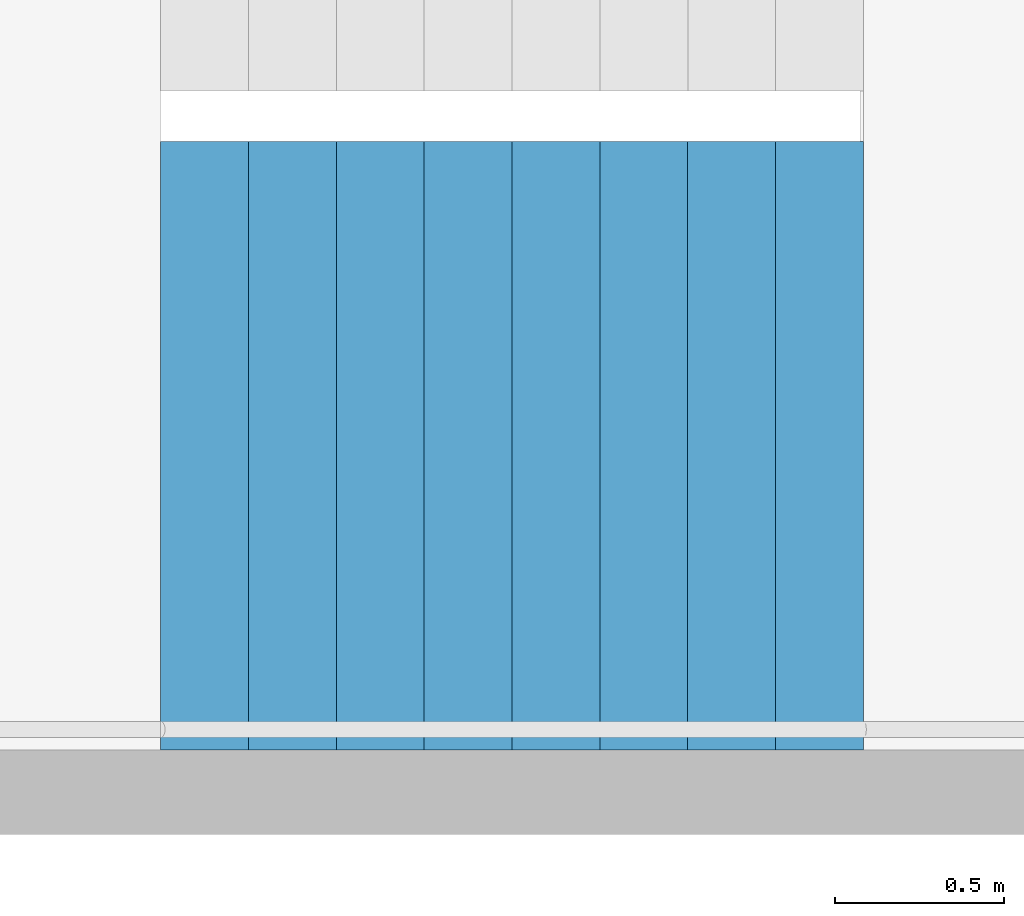
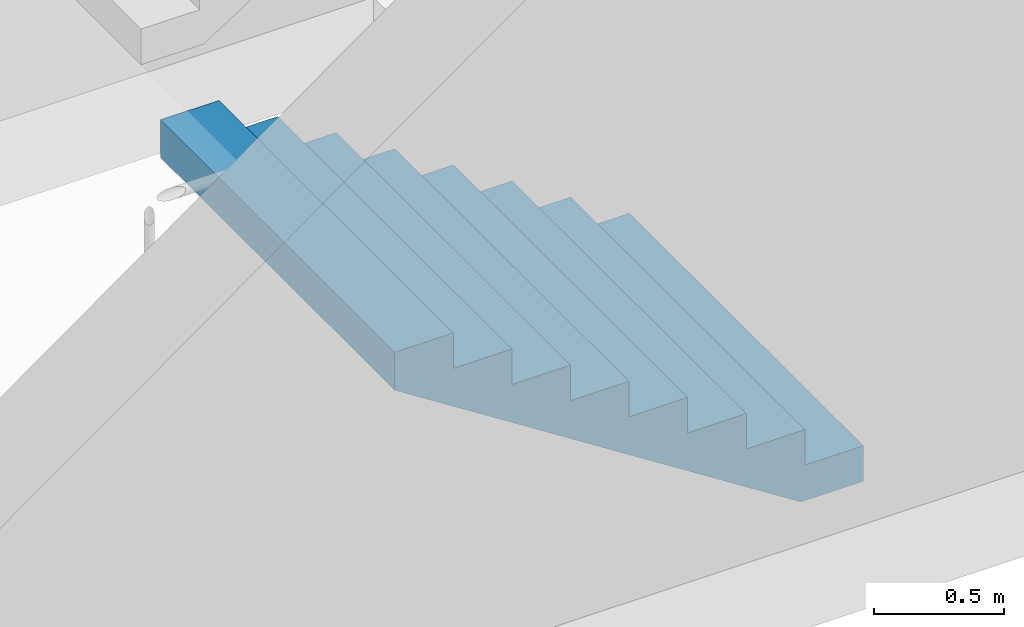
# One storey, part 66 of 100: 1 stair flight, 1 element without a shape of its own.
"""IFC4 building model written with IfcOpenShell, lengths in metres."""

import ifcopenshell
import ifcopenshell.guid

model = None  # the IFC model being written
_history = None  # IfcOwnerHistory: only IFC2X3 demands one
_inside = {}  # id of a spatial element -> (the spatial element, [elements in it])
_under = {}  # id of a project, library or spatial element -> (it, [spatial elements below it])
_declared = {}  # id of a project -> (the project, [libraries it declares])
_typed = {}  # id of a type object -> (the type object, [elements of that type])
_made_of = {}  # id of a material, layer set ... -> (it, [elements and type objects made of it])


def new_model(schema):
    """Start an empty IFC model of exactly this schema.

    Asked for "IFC4X3", IfcOpenShell would pick the latest addendum, in which some entities
    have other attributes; the version numbers below select the first issue.
    IFC2X3 requires an IfcOwnerHistory on every rooted entity: one is made here for all.
    """
    global model, _history
    if schema == "IFC4X3":
        model = ifcopenshell.file(schema_version=(4, 3, 0, 0))
    else:
        model = ifcopenshell.file(schema=schema)
    _inside.clear()
    _under.clear()
    _declared.clear()
    _typed.clear()
    _made_of.clear()
    _history = None
    if model.schema == "IFC2X3":
        org = make("IfcOrganization", Name="unknown")
        user = make(
            "IfcPersonAndOrganization",
            ThePerson=make("IfcPerson", FamilyName="unknown"),
            TheOrganization=org,
        )
        app = make(
            "IfcApplication",
            ApplicationDeveloper=org,
            Version="unknown",
            ApplicationFullName="unknown",
            ApplicationIdentifier="unknown",
        )
        _history = make(
            "IfcOwnerHistory",
            OwningUser=user,
            OwningApplication=app,
            ChangeAction="ADDED",
            CreationDate=0,
        )
    return model


def make(cls, **values):
    """One entity of the class cls with the attributes given. An attribute that is None is left unset."""
    return model.create_entity(
        cls, **{name: value for name, value in values.items() if value is not None}
    )


def rooted(cls, **values):
    """An entity with a GlobalId (a new one), such as an element, a storey or a relation."""
    return make(cls, GlobalId=ifcopenshell.guid.new(), OwnerHistory=_history, **values)


def si_unit(unit_type, name, prefix=None):
    """IfcSIUnit, for example si_unit("LENGTHUNIT", "METRE", prefix="MILLI")."""
    return make("IfcSIUnit", UnitType=unit_type, Prefix=prefix, Name=name)


def assignment(units):
    """IfcUnitAssignment: the units of a project."""
    return None if units is None else make("IfcUnitAssignment", Units=units)


def point(xyz):
    """IfcCartesianPoint."""
    return None if xyz is None else make("IfcCartesianPoint", Coordinates=xyz)


def direction(xyz):
    """IfcDirection."""
    return None if xyz is None else make("IfcDirection", DirectionRatios=xyz)


def frame(location, z_axis=None, x_axis=None):
    """IfcAxis2Placement3D, a coordinate frame: its origin and axes. An axis left out is left unset."""
    return make(
        "IfcAxis2Placement3D",
        Location=point(location),
        Axis=direction(z_axis),
        RefDirection=direction(x_axis),
    )


def origin():
    """The frame at (0, 0, 0) with its axes left unset."""
    return frame((0.0, 0.0, 0.0))


def place(relative_to, where):
    """IfcLocalPlacement: puts the frame where relative to a parent placement (None: the world)."""
    return make(
        "IfcLocalPlacement", PlacementRelTo=relative_to, RelativePlacement=where
    )


def context(
    kind, dimensions, precision=None, world=None, true_north=None, identifier=None
):
    """IfcGeometricRepresentationContext, for example the 3D "Model" context."""
    return make(
        "IfcGeometricRepresentationContext",
        ContextIdentifier=identifier,
        ContextType=kind,
        CoordinateSpaceDimension=dimensions,
        Precision=precision,
        WorldCoordinateSystem=world,
        TrueNorth=true_north,
    )


def subcontext(parent, identifier, kind, view, scale=None):
    """IfcGeometricRepresentationSubContext, for example "Body" below "Model"."""
    return make(
        "IfcGeometricRepresentationSubContext",
        ContextIdentifier=identifier,
        ContextType=kind,
        ParentContext=parent,
        TargetScale=scale,
        TargetView=view,
    )


def project(units=None, contexts=None):
    """IfcProject with its units and contexts."""
    return rooted(
        "IfcProject",
        Name="project",
        RepresentationContexts=contexts,
        UnitsInContext=assignment(units),
    )


def spatial(cls, under=None, at=None, **own):
    """A site, building, storey or space (cls), placed at a placement, below another one or the project."""
    s = rooted(cls, ObjectPlacement=at, **own)
    if under is not None:
        _under.setdefault(under.id(), (under, []))[1].append(s)
    return s


def point_list(points):
    """IfcCartesianPointList2D or 3D."""
    cls = (
        "IfcCartesianPointList2D" if len(points[0]) == 2 else "IfcCartesianPointList3D"
    )
    return make(cls, CoordList=points)


def triangles(points, corners, closed=None, point_numbers=None):
    """IfcTriangulatedFaceSet: each triangle names its three corners, points numbered from 1."""
    return make(
        "IfcTriangulatedFaceSet",
        Coordinates=point_list(points),
        Closed=closed,
        CoordIndex=corners,
        PnIndex=point_numbers,
    )


def shape(context_of_items, identifier, shape_type, items):
    """IfcShapeRepresentation: the items that make up one representation, for example the "Body"."""
    return make(
        "IfcShapeRepresentation",
        ContextOfItems=context_of_items,
        RepresentationIdentifier=identifier,
        RepresentationType=shape_type,
        Items=items,
    )


def material(Name=None, Category=None):
    """IfcMaterial."""
    return make("IfcMaterial", Name=Name, Category=Category)


def made_of(thing, what):
    """Note that an element or type object is made of a material, layer set ...; save() writes the relation."""
    if what is not None:
        _made_of.setdefault(what.id(), (what, []))[1].append(thing)
    return thing


def type_object(cls, material=None, **own):
    """A type object (cls), such as IfcWallType, which elements share."""
    return made_of(rooted(cls, **own), material)


def element(
    cls,
    number,
    at=None,
    inside=None,
    cuts=None,
    type_object=None,
    material=None,
    context=None,
    identifier="Body",
    shape_type=None,
    held_by="IfcProductDefinitionShape",
    body=None,
    shapes=None,
    **own,
):
    """One element of the class cls, such as IfcWall. Its Tag is "e" and its number.

    at: its placement. inside: the storey or other place that contains it. cuts: it is an
    opening in that element (IfcRelVoidsElement). A single representation is given by context,
    identifier, shape_type and body (its items); several are given by shapes. held_by: the class
    of the entity that holds the representations. save() writes the other relations.
    """
    e = rooted(cls, Tag="e%d" % number, ObjectPlacement=at, **own)
    if body is not None:
        shapes = [shape(context, identifier, shape_type, body)]
    if shapes is not None:
        e.Representation = make(held_by, Representations=shapes)
    if inside is not None:
        _inside.setdefault(inside.id(), (inside, []))[1].append(e)
    if cuts is not None:
        rooted(
            "IfcRelVoidsElement", RelatingBuildingElement=cuts, RelatedOpeningElement=e
        )
    if type_object is not None:
        _typed.setdefault(type_object.id(), (type_object, []))[1].append(e)
    return made_of(e, material)


def aggregate(whole, parts):
    """IfcRelAggregates: a whole, such as a stair, and the parts it consists of."""
    return rooted("IfcRelAggregates", RelatingObject=whole, RelatedObjects=parts)


def save(model, path):
    """Write the relations noted so far, then the file.

    IfcRelAggregates (storeys below a building ...), IfcRelContainedInSpatialStructure (elements
    in a storey), IfcRelDefinesByType, IfcRelAssociatesMaterial and IfcRelDeclares: one each for
    every whole, place, type object, material and project.
    """
    for whole, parts in _under.values():
        aggregate(whole, parts)
    for where, things in _inside.values():
        rooted(
            "IfcRelContainedInSpatialStructure",
            RelatedElements=things,
            RelatingStructure=where,
        )
    for kind, things in _typed.values():
        rooted("IfcRelDefinesByType", RelatedObjects=things, RelatingType=kind)
    for what, things in _made_of.values():
        rooted("IfcRelAssociatesMaterial", RelatedObjects=things, RelatingMaterial=what)
    for by, libraries in _declared.values():
        rooted("IfcRelDeclares", RelatingContext=by, RelatedDefinitions=libraries)
    model.write(path)


model = new_model("IFC4")

# Units and contexts
model_context = context("Model", 3, precision=1e-05, world=origin(), true_north=direction((0.0, 1.0)))
body_context = subcontext(model_context, "Body", "Model", "MODEL_VIEW")
ifc_project = project(units=[si_unit("LENGTHUNIT", "METRE"), si_unit("AREAUNIT", "SQUARE_METRE"), si_unit("VOLUMEUNIT", "CUBIC_METRE"), si_unit("PLANEANGLEUNIT", "RADIAN"), si_unit("MASSUNIT", "GRAM", prefix="KILO")], contexts=[model_context])

# Site, building, storey
site_placement = place(None, origin())
site = spatial("IfcSite", under=ifc_project, at=site_placement, CompositionType="ELEMENT")
building_placement = place(site_placement, origin())
building = spatial("IfcBuilding", under=site, at=building_placement, Name="Hakoniwa Tower and Hamabe Station Hall", CompositionType="ELEMENT")
storey_placement = place(building_placement, frame((0.0, 0.0, 9.0)))
storey = spatial("IfcBuildingStorey", under=building, at=storey_placement, Name="L02", CompositionType="ELEMENT", Elevation=9.0)

# Stair, stair flight
ifc_material_1 = material(Name="Concrete C40", Category="concrete")
stair_type = type_object("IfcStairType", Name="ESCAPE STAIR 1800", PredefinedType="HALF_TURN_STAIR", material=ifc_material_1)
stair_placement = place(storey_placement, origin())
stair = element("IfcStair", 1, at=stair_placement, inside=storey, type_object=stair_type, Name="Escape stair ST-3 L02", PredefinedType="HALF_TURN_STAIR")
ifc_material_2 = material(Name="Concrete C40", Category="concrete")
stair_flight_type = type_object("IfcStairFlightType", Name="STAIR FLIGHT 1800", PredefinedType="STRAIGHT", material=ifc_material_2)
stair_flight_placement = place(storey_placement, frame((24.39990234375, 4.64990234375, 0.0), z_axis=(0.0, 0.0, 1.0), x_axis=(-1.0, 0.0, 0.0)))
stair_flight = element("IfcStairFlight", 2, at=stair_flight_placement, type_object=stair_flight_type, Name="ST-3 flight 1", NumberOfRisers=9, NumberOfTreads=8, PredefinedType="STRAIGHT", RiserHeight=0.166666667, TreadLength=0.26, context=body_context, shape_type="Tessellation", body=[
    triangles([(0.0, 0.89990234375, 0.0), (0.260009765625, 0.89990234375, 0.0), (0.27783203125, 0.89990234375, 0.0), (0.52001953125, 0.89990234375, 0.1552734375), (0.780029296875, 0.89990234375, 0.322021484375), (1.0400390625, 0.89990234375, 0.488525390625), (1.300048828125, 0.89990234375, 0.6552734375), (1.56005859375, 0.89990234375, 0.822021484375), (1.820068359375, 0.89990234375, 0.988525390625), (2.080078125, 0.89990234375, 1.1552734375), (2.080078125, 0.89990234375, 1.333251953125), (1.820068359375, 0.89990234375, 1.333251953125), (1.820068359375, 0.89990234375, 1.166748046875), (1.56005859375, 0.89990234375, 1.166748046875), (1.56005859375, 0.89990234375, 1.0), (1.300048828125, 0.89990234375, 1.0), (1.300048828125, 0.89990234375, 0.833251953125), (1.0400390625, 0.89990234375, 0.833251953125), (1.0400390625, 0.89990234375, 0.666748046875), (0.780029296875, 0.89990234375, 0.666748046875), (0.780029296875, 0.89990234375, 0.5), (0.52001953125, 0.89990234375, 0.5), (0.52001953125, 0.89990234375, 0.333251953125), (0.27783203125, 0.89990234375, 0.333251953125), (0.260009765625, 0.89990234375, 0.333251953125), (0.260009765625, 0.89990234375, 0.166748046875), (0.0, 0.89990234375, 0.166748046875), (0.0, 0.06005859375, 0.0), (0.260009765625, 0.06005859375, 0.0), (0.27783203125, 0.06005859375, 0.0), (0.52001953125, 0.06005859375, 0.1552734375), (0.780029296875, 0.06005859375, 0.322021484375), (1.0400390625, 0.06005859375, 0.488525390625), (1.300048828125, 0.06005859375, 0.6552734375), (1.56005859375, 0.06005859375, 0.822021484375), (1.820068359375, 0.06005859375, 0.988525390625), (2.080078125, 0.06005859375, 1.1552734375), (2.080078125, 0.06005859375, 1.333251953125), (1.820068359375, 0.06005859375, 1.333251953125), (1.820068359375, 0.06005859375, 1.166748046875), (1.56005859375, 0.06005859375, 1.166748046875), (1.56005859375, 0.06005859375, 1.0), (1.300048828125, 0.06005859375, 1.0), (1.300048828125, 0.06005859375, 0.833251953125), (1.0400390625, 0.06005859375, 0.833251953125), (1.0400390625, 0.06005859375, 0.666748046875), (0.780029296875, 0.06005859375, 0.666748046875), (0.780029296875, 0.06005859375, 0.5), (0.52001953125, 0.06005859375, 0.5), (0.52001953125, 0.06005859375, 0.333251953125), (0.27783203125, 0.06005859375, 0.333251953125), (0.260009765625, 0.06005859375, 0.333251953125), (0.260009765625, 0.06005859375, 0.166748046875), (0.0, 0.06005859375, 0.166748046875), (0.0, 0.04296875, 0.0), (0.260009765625, 0.04296875, 0.0), (0.27783203125, 0.04296875, 0.0), (0.52001953125, 0.04296875, 0.1552734375), (0.780029296875, 0.04296875, 0.322021484375), (1.0400390625, 0.04296875, 0.488525390625), (1.300048828125, 0.04296875, 0.6552734375), (1.56005859375, 0.04296875, 0.822021484375), (1.820068359375, 0.04296875, 0.988525390625), (2.080078125, 0.04296875, 1.1552734375), (2.080078125, 0.04296875, 1.333251953125), (1.820068359375, 0.04296875, 1.333251953125), (1.820068359375, 0.04296875, 1.166748046875), (1.56005859375, 0.04296875, 1.166748046875), (1.56005859375, 0.04296875, 1.0), (1.300048828125, 0.04296875, 1.0), (1.300048828125, 0.04296875, 0.833251953125), (1.0400390625, 0.04296875, 0.833251953125), (1.0400390625, 0.04296875, 0.666748046875), (0.780029296875, 0.04296875, 0.666748046875), (0.780029296875, 0.04296875, 0.5), (0.52001953125, 0.04296875, 0.5), (0.52001953125, 0.04296875, 0.333251953125), (0.27783203125, 0.04296875, 0.333251953125), (0.260009765625, 0.04296875, 0.333251953125), (0.260009765625, 0.04296875, 0.166748046875), (0.0, 0.04296875, 0.166748046875), (0.0, 0.025634765625, 0.0), (0.260009765625, 0.025634765625, 0.0), (0.27783203125, 0.025634765625, 0.0), (0.52001953125, 0.025634765625, 0.1552734375), (0.780029296875, 0.025634765625, 0.322021484375), (1.0400390625, 0.025634765625, 0.488525390625), (1.300048828125, 0.025634765625, 0.6552734375), (1.56005859375, 0.025634765625, 0.822021484375), (1.820068359375, 0.025634765625, 0.988525390625), (2.080078125, 0.025634765625, 1.1552734375), (2.080078125, 0.025634765625, 1.333251953125), (1.820068359375, 0.025634765625, 1.333251953125), (1.820068359375, 0.025634765625, 1.166748046875), (1.56005859375, 0.025634765625, 1.166748046875), (1.56005859375, 0.025634765625, 1.0), (1.300048828125, 0.025634765625, 1.0), (1.300048828125, 0.025634765625, 0.833251953125), (1.0400390625, 0.025634765625, 0.833251953125), (1.0400390625, 0.025634765625, 0.666748046875), (0.780029296875, 0.025634765625, 0.666748046875), (0.780029296875, 0.025634765625, 0.5), (0.52001953125, 0.025634765625, 0.5), (0.52001953125, 0.025634765625, 0.333251953125), (0.27783203125, 0.025634765625, 0.333251953125), (0.260009765625, 0.025634765625, 0.333251953125), (0.260009765625, 0.025634765625, 0.166748046875), (0.0, 0.025634765625, 0.166748046875), (0.0, 0.008544921875, 0.0), (0.260009765625, 0.008544921875, 0.0), (0.27783203125, 0.008544921875, 0.0), (0.52001953125, 0.008544921875, 0.1552734375), (0.780029296875, 0.008544921875, 0.322021484375), (1.0400390625, 0.008544921875, 0.488525390625), (1.300048828125, 0.008544921875, 0.6552734375), (1.56005859375, 0.008544921875, 0.822021484375), (1.820068359375, 0.008544921875, 0.988525390625), (2.080078125, 0.008544921875, 1.1552734375), (2.080078125, 0.008544921875, 1.333251953125), (1.820068359375, 0.008544921875, 1.333251953125), (1.820068359375, 0.008544921875, 1.166748046875), (1.56005859375, 0.008544921875, 1.166748046875), (1.56005859375, 0.008544921875, 1.0), (1.300048828125, 0.008544921875, 1.0), (1.300048828125, 0.008544921875, 0.833251953125), (1.0400390625, 0.008544921875, 0.833251953125), (1.0400390625, 0.008544921875, 0.666748046875), (0.780029296875, 0.008544921875, 0.666748046875), (0.780029296875, 0.008544921875, 0.5), (0.52001953125, 0.008544921875, 0.5), (0.52001953125, 0.008544921875, 0.333251953125), (0.27783203125, 0.008544921875, 0.333251953125), (0.260009765625, 0.008544921875, 0.333251953125), (0.260009765625, 0.008544921875, 0.166748046875), (0.0, 0.008544921875, 0.166748046875), (0.0, -0.008544921875, 0.0), (0.260009765625, -0.008544921875, 0.0), (0.27783203125, -0.008544921875, 0.0), (0.52001953125, -0.008544921875, 0.1552734375), (0.780029296875, -0.008544921875, 0.322021484375), (1.0400390625, -0.008544921875, 0.488525390625), (1.300048828125, -0.008544921875, 0.6552734375), (1.56005859375, -0.008544921875, 0.822021484375), (1.820068359375, -0.008544921875, 0.988525390625), (2.080078125, -0.008544921875, 1.1552734375), (2.080078125, -0.008544921875, 1.333251953125), (1.820068359375, -0.008544921875, 1.333251953125), (1.820068359375, -0.008544921875, 1.166748046875), (1.56005859375, -0.008544921875, 1.166748046875), (1.56005859375, -0.008544921875, 1.0), (1.300048828125, -0.008544921875, 1.0), (1.300048828125, -0.008544921875, 0.833251953125), (1.0400390625, -0.008544921875, 0.833251953125), (1.0400390625, -0.008544921875, 0.666748046875), (0.780029296875, -0.008544921875, 0.666748046875), (0.780029296875, -0.008544921875, 0.5), (0.52001953125, -0.008544921875, 0.5), (0.52001953125, -0.008544921875, 0.333251953125), (0.27783203125, -0.008544921875, 0.333251953125), (0.260009765625, -0.008544921875, 0.333251953125), (0.260009765625, -0.008544921875, 0.166748046875), (0.0, -0.008544921875, 0.166748046875), (0.0, -0.025634765625, 0.0), (0.260009765625, -0.025634765625, 0.0), (0.27783203125, -0.025634765625, 0.0), (0.52001953125, -0.025634765625, 0.1552734375), (0.780029296875, -0.025634765625, 0.322021484375), (1.0400390625, -0.025634765625, 0.488525390625), (1.300048828125, -0.025634765625, 0.6552734375), (1.56005859375, -0.025634765625, 0.822021484375), (1.820068359375, -0.025634765625, 0.988525390625), (2.080078125, -0.025634765625, 1.1552734375), (2.080078125, -0.025634765625, 1.333251953125), (1.820068359375, -0.025634765625, 1.333251953125), (1.820068359375, -0.025634765625, 1.166748046875), (1.56005859375, -0.025634765625, 1.166748046875), (1.56005859375, -0.025634765625, 1.0), (1.300048828125, -0.025634765625, 1.0), (1.300048828125, -0.025634765625, 0.833251953125), (1.0400390625, -0.025634765625, 0.833251953125), (1.0400390625, -0.025634765625, 0.666748046875), (0.780029296875, -0.025634765625, 0.666748046875), (0.780029296875, -0.025634765625, 0.5), (0.52001953125, -0.025634765625, 0.5), (0.52001953125, -0.025634765625, 0.333251953125), (0.27783203125, -0.025634765625, 0.333251953125), (0.260009765625, -0.025634765625, 0.333251953125), (0.260009765625, -0.025634765625, 0.166748046875), (0.0, -0.025634765625, 0.166748046875), (0.0, -0.04296875, 0.0), (0.260009765625, -0.04296875, 0.0), (0.27783203125, -0.04296875, 0.0), (0.52001953125, -0.04296875, 0.1552734375), (0.780029296875, -0.04296875, 0.322021484375), (1.0400390625, -0.04296875, 0.488525390625), (1.300048828125, -0.04296875, 0.6552734375), (1.56005859375, -0.04296875, 0.822021484375), (1.820068359375, -0.04296875, 0.988525390625), (2.080078125, -0.04296875, 1.1552734375), (2.080078125, -0.04296875, 1.333251953125), (1.820068359375, -0.04296875, 1.333251953125), (1.820068359375, -0.04296875, 1.166748046875), (1.56005859375, -0.04296875, 1.166748046875), (1.56005859375, -0.04296875, 1.0), (1.300048828125, -0.04296875, 1.0), (1.300048828125, -0.04296875, 0.833251953125), (1.0400390625, -0.04296875, 0.833251953125), (1.0400390625, -0.04296875, 0.666748046875), (0.780029296875, -0.04296875, 0.666748046875), (0.780029296875, -0.04296875, 0.5), (0.52001953125, -0.04296875, 0.5), (0.52001953125, -0.04296875, 0.333251953125), (0.27783203125, -0.04296875, 0.333251953125), (0.260009765625, -0.04296875, 0.333251953125), (0.260009765625, -0.04296875, 0.166748046875), (0.0, -0.04296875, 0.166748046875), (0.0, -0.06005859375, 0.0), (0.260009765625, -0.06005859375, 0.0), (0.27783203125, -0.06005859375, 0.0), (0.52001953125, -0.06005859375, 0.1552734375), (0.780029296875, -0.06005859375, 0.322021484375), (1.0400390625, -0.06005859375, 0.488525390625), (1.300048828125, -0.06005859375, 0.6552734375), (1.56005859375, -0.06005859375, 0.822021484375), (1.820068359375, -0.06005859375, 0.988525390625), (2.080078125, -0.06005859375, 1.1552734375), (2.080078125, -0.06005859375, 1.333251953125), (1.820068359375, -0.06005859375, 1.333251953125), (1.820068359375, -0.06005859375, 1.166748046875), (1.56005859375, -0.06005859375, 1.166748046875), (1.56005859375, -0.06005859375, 1.0), (1.300048828125, -0.06005859375, 1.0), (1.300048828125, -0.06005859375, 0.833251953125), (1.0400390625, -0.06005859375, 0.833251953125), (1.0400390625, -0.06005859375, 0.666748046875), (0.780029296875, -0.06005859375, 0.666748046875), (0.780029296875, -0.06005859375, 0.5), (0.52001953125, -0.06005859375, 0.5), (0.52001953125, -0.06005859375, 0.333251953125), (0.27783203125, -0.06005859375, 0.333251953125), (0.260009765625, -0.06005859375, 0.333251953125), (0.260009765625, -0.06005859375, 0.166748046875), (0.0, -0.06005859375, 0.166748046875), (0.0, -0.89990234375, 0.0), (0.260009765625, -0.89990234375, 0.0), (0.27783203125, -0.89990234375, 0.0), (0.52001953125, -0.89990234375, 0.1552734375), (0.780029296875, -0.89990234375, 0.322021484375), (1.0400390625, -0.89990234375, 0.488525390625), (1.300048828125, -0.89990234375, 0.6552734375), (1.56005859375, -0.89990234375, 0.822021484375), (1.820068359375, -0.89990234375, 0.988525390625), (2.080078125, -0.89990234375, 1.1552734375), (2.080078125, -0.89990234375, 1.333251953125), (1.820068359375, -0.89990234375, 1.333251953125), (1.820068359375, -0.89990234375, 1.166748046875), (1.56005859375, -0.89990234375, 1.166748046875), (1.56005859375, -0.89990234375, 1.0), (1.300048828125, -0.89990234375, 1.0), (1.300048828125, -0.89990234375, 0.833251953125), (1.0400390625, -0.89990234375, 0.833251953125), (1.0400390625, -0.89990234375, 0.666748046875), (0.780029296875, -0.89990234375, 0.666748046875), (0.780029296875, -0.89990234375, 0.5), (0.52001953125, -0.89990234375, 0.5), (0.52001953125, -0.89990234375, 0.333251953125), (0.27783203125, -0.89990234375, 0.333251953125), (0.260009765625, -0.89990234375, 0.333251953125), (0.260009765625, -0.89990234375, 0.166748046875), (0.0, -0.89990234375, 0.166748046875)], [[2, 27, 26], [245, 269, 270], [2, 1, 27], [245, 270, 244], [3, 25, 24], [246, 267, 268], [3, 26, 25], [246, 268, 269], [3, 2, 26], [246, 269, 245], [4, 24, 23], [247, 266, 267], [4, 3, 24], [247, 267, 246], [5, 22, 21], [248, 264, 265], [5, 23, 22], [248, 265, 266], [5, 4, 23], [248, 266, 247], [6, 20, 19], [249, 262, 263], [6, 21, 20], [249, 263, 264], [6, 5, 21], [249, 264, 248], [7, 18, 17], [250, 260, 261], [7, 19, 18], [250, 261, 262], [7, 6, 19], [250, 262, 249], [8, 16, 15], [251, 258, 259], [8, 17, 16], [251, 259, 260], [8, 7, 17], [251, 260, 250], [9, 14, 13], [252, 256, 257], [9, 15, 14], [252, 257, 258], [9, 8, 15], [252, 258, 251], [10, 12, 11], [253, 254, 255], [10, 13, 12], [253, 255, 256], [10, 9, 13], [253, 256, 252], [1, 2, 29], [1, 29, 28], [28, 29, 56], [28, 56, 55], [55, 56, 83], [55, 83, 82], [82, 83, 110], [82, 110, 109], [109, 110, 137], [109, 137, 136], [136, 137, 164], [136, 164, 163], [163, 164, 191], [163, 191, 190], [190, 191, 218], [190, 218, 217], [217, 218, 245], [217, 245, 244], [2, 3, 30], [2, 30, 29], [29, 30, 57], [29, 57, 56], [56, 57, 84], [56, 84, 83], [83, 84, 111], [83, 111, 110], [110, 111, 138], [110, 138, 137], [137, 138, 165], [137, 165, 164], [164, 165, 192], [164, 192, 191], [191, 192, 219], [191, 219, 218], [218, 219, 246], [218, 246, 245], [3, 4, 31], [3, 31, 30], [30, 31, 58], [30, 58, 57], [57, 58, 85], [57, 85, 84], [84, 85, 112], [84, 112, 111], [111, 112, 139], [111, 139, 138], [138, 139, 166], [138, 166, 165], [165, 166, 193], [165, 193, 192], [192, 193, 220], [192, 220, 219], [219, 220, 247], [219, 247, 246], [4, 5, 32], [4, 32, 31], [31, 32, 59], [31, 59, 58], [58, 59, 86], [58, 86, 85], [85, 86, 113], [85, 113, 112], [112, 113, 140], [112, 140, 139], [139, 140, 167], [139, 167, 166], [166, 167, 194], [166, 194, 193], [193, 194, 221], [193, 221, 220], [220, 221, 248], [220, 248, 247], [5, 6, 33], [5, 33, 32], [32, 33, 60], [32, 60, 59], [59, 60, 87], [59, 87, 86], [86, 87, 114], [86, 114, 113], [113, 114, 141], [113, 141, 140], [140, 141, 168], [140, 168, 167], [167, 168, 195], [167, 195, 194], [194, 195, 222], [194, 222, 221], [221, 222, 249], [221, 249, 248], [6, 7, 34], [6, 34, 33], [33, 34, 61], [33, 61, 60], [60, 61, 88], [60, 88, 87], [87, 88, 115], [87, 115, 114], [114, 115, 142], [114, 142, 141], [141, 142, 169], [141, 169, 168], [168, 169, 196], [168, 196, 195], [195, 196, 223], [195, 223, 222], [222, 223, 250], [222, 250, 249], [7, 8, 35], [7, 35, 34], [34, 35, 62], [34, 62, 61], [61, 62, 89], [61, 89, 88], [88, 89, 116], [88, 116, 115], [115, 116, 143], [115, 143, 142], [142, 143, 170], [142, 170, 169], [169, 170, 197], [169, 197, 196], [196, 197, 224], [196, 224, 223], [223, 224, 251], [223, 251, 250], [8, 9, 36], [8, 36, 35], [35, 36, 63], [35, 63, 62], [62, 63, 90], [62, 90, 89], [89, 90, 117], [89, 117, 116], [116, 117, 144], [116, 144, 143], [143, 144, 171], [143, 171, 170], [170, 171, 198], [170, 198, 197], [197, 198, 225], [197, 225, 224], [224, 225, 252], [224, 252, 251], [9, 10, 37], [9, 37, 36], [36, 37, 64], [36, 64, 63], [63, 64, 91], [63, 91, 90], [90, 91, 118], [90, 118, 117], [117, 118, 145], [117, 145, 144], [144, 145, 172], [144, 172, 171], [171, 172, 199], [171, 199, 198], [198, 199, 226], [198, 226, 225], [225, 226, 253], [225, 253, 252], [10, 11, 38], [10, 38, 37], [37, 38, 65], [37, 65, 64], [64, 65, 92], [64, 92, 91], [91, 92, 119], [91, 119, 118], [118, 119, 146], [118, 146, 145], [145, 146, 173], [145, 173, 172], [172, 173, 200], [172, 200, 199], [199, 200, 227], [199, 227, 226], [226, 227, 254], [226, 254, 253], [11, 12, 39], [11, 39, 38], [38, 39, 66], [38, 66, 65], [65, 66, 93], [65, 93, 92], [92, 93, 120], [92, 120, 119], [119, 120, 147], [119, 147, 146], [146, 147, 174], [146, 174, 173], [173, 174, 201], [173, 201, 200], [200, 201, 228], [200, 228, 227], [227, 228, 255], [227, 255, 254], [12, 13, 40], [12, 40, 39], [39, 40, 67], [39, 67, 66], [66, 67, 94], [66, 94, 93], [93, 94, 121], [93, 121, 120], [120, 121, 148], [120, 148, 147], [147, 148, 175], [147, 175, 174], [174, 175, 202], [174, 202, 201], [201, 202, 229], [201, 229, 228], [228, 229, 256], [228, 256, 255], [13, 14, 41], [13, 41, 40], [40, 41, 68], [40, 68, 67], [67, 68, 95], [67, 95, 94], [94, 95, 122], [94, 122, 121], [121, 122, 149], [121, 149, 148], [148, 149, 176], [148, 176, 175], [175, 176, 203], [175, 203, 202], [202, 203, 230], [202, 230, 229], [229, 230, 257], [229, 257, 256], [14, 15, 42], [14, 42, 41], [41, 42, 69], [41, 69, 68], [68, 69, 96], [68, 96, 95], [95, 96, 123], [95, 123, 122], [122, 123, 150], [122, 150, 149], [149, 150, 177], [149, 177, 176], [176, 177, 204], [176, 204, 203], [203, 204, 231], [203, 231, 230], [230, 231, 258], [230, 258, 257], [15, 16, 43], [15, 43, 42], [42, 43, 70], [42, 70, 69], [69, 70, 97], [69, 97, 96], [96, 97, 124], [96, 124, 123], [123, 124, 151], [123, 151, 150], [150, 151, 178], [150, 178, 177], [177, 178, 205], [177, 205, 204], [204, 205, 232], [204, 232, 231], [231, 232, 259], [231, 259, 258], [16, 17, 44], [16, 44, 43], [43, 44, 71], [43, 71, 70], [70, 71, 98], [70, 98, 97], [97, 98, 125], [97, 125, 124], [124, 125, 152], [124, 152, 151], [151, 152, 179], [151, 179, 178], [178, 179, 206], [178, 206, 205], [205, 206, 233], [205, 233, 232], [232, 233, 260], [232, 260, 259], [17, 18, 45], [17, 45, 44], [44, 45, 72], [44, 72, 71], [71, 72, 99], [71, 99, 98], [98, 99, 126], [98, 126, 125], [125, 126, 153], [125, 153, 152], [152, 153, 180], [152, 180, 179], [179, 180, 207], [179, 207, 206], [206, 207, 234], [206, 234, 233], [233, 234, 261], [233, 261, 260], [18, 19, 46], [18, 46, 45], [45, 46, 73], [45, 73, 72], [72, 73, 100], [72, 100, 99], [99, 100, 127], [99, 127, 126], [126, 127, 154], [126, 154, 153], [153, 154, 181], [153, 181, 180], [180, 181, 208], [180, 208, 207], [207, 208, 235], [207, 235, 234], [234, 235, 262], [234, 262, 261], [19, 20, 47], [19, 47, 46], [46, 47, 74], [46, 74, 73], [73, 74, 101], [73, 101, 100], [100, 101, 128], [100, 128, 127], [127, 128, 155], [127, 155, 154], [154, 155, 182], [154, 182, 181], [181, 182, 209], [181, 209, 208], [208, 209, 236], [208, 236, 235], [235, 236, 263], [235, 263, 262], [20, 21, 48], [20, 48, 47], [47, 48, 75], [47, 75, 74], [74, 75, 102], [74, 102, 101], [101, 102, 129], [101, 129, 128], [128, 129, 156], [128, 156, 155], [155, 156, 183], [155, 183, 182], [182, 183, 210], [182, 210, 209], [209, 210, 237], [209, 237, 236], [236, 237, 264], [236, 264, 263], [21, 22, 49], [21, 49, 48], [48, 49, 76], [48, 76, 75], [75, 76, 103], [75, 103, 102], [102, 103, 130], [102, 130, 129], [129, 130, 157], [129, 157, 156], [156, 157, 184], [156, 184, 183], [183, 184, 211], [183, 211, 210], [210, 211, 238], [210, 238, 237], [237, 238, 265], [237, 265, 264], [22, 23, 50], [22, 50, 49], [49, 50, 77], [49, 77, 76], [76, 77, 104], [76, 104, 103], [103, 104, 131], [103, 131, 130], [130, 131, 158], [130, 158, 157], [157, 158, 185], [157, 185, 184], [184, 185, 212], [184, 212, 211], [211, 212, 239], [211, 239, 238], [238, 239, 266], [238, 266, 265], [23, 24, 51], [23, 51, 50], [50, 51, 78], [50, 78, 77], [77, 78, 105], [77, 105, 104], [104, 105, 132], [104, 132, 131], [131, 132, 159], [131, 159, 158], [158, 159, 186], [158, 186, 185], [185, 186, 213], [185, 213, 212], [212, 213, 240], [212, 240, 239], [239, 240, 267], [239, 267, 266], [24, 25, 52], [24, 52, 51], [51, 52, 79], [51, 79, 78], [78, 79, 106], [78, 106, 105], [105, 106, 133], [105, 133, 132], [132, 133, 160], [132, 160, 159], [159, 160, 187], [159, 187, 186], [186, 187, 214], [186, 214, 213], [213, 214, 241], [213, 241, 240], [240, 241, 268], [240, 268, 267], [25, 26, 53], [25, 53, 52], [52, 53, 80], [52, 80, 79], [79, 80, 107], [79, 107, 106], [106, 107, 134], [106, 134, 133], [133, 134, 161], [133, 161, 160], [160, 161, 188], [160, 188, 187], [187, 188, 215], [187, 215, 214], [214, 215, 242], [214, 242, 241], [241, 242, 269], [241, 269, 268], [26, 27, 54], [26, 54, 53], [53, 54, 81], [53, 81, 80], [80, 81, 108], [80, 108, 107], [107, 108, 135], [107, 135, 134], [134, 135, 162], [134, 162, 161], [161, 162, 189], [161, 189, 188], [188, 189, 216], [188, 216, 215], [215, 216, 243], [215, 243, 242], [242, 243, 270], [242, 270, 269], [27, 1, 28], [27, 28, 54], [54, 28, 55], [54, 55, 81], [81, 55, 82], [81, 82, 108], [108, 82, 109], [108, 109, 135], [135, 109, 136], [135, 136, 162], [162, 136, 163], [162, 163, 189], [189, 163, 190], [189, 190, 216], [216, 190, 217], [216, 217, 243], [243, 217, 244], [243, 244, 270]], closed=True),
])
aggregate(stair, [stair_flight])

save(model, "model.ifc")
